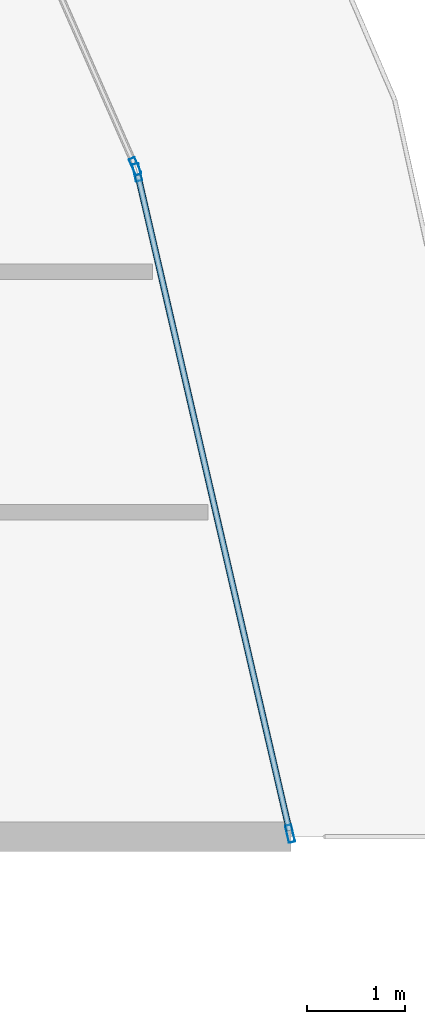
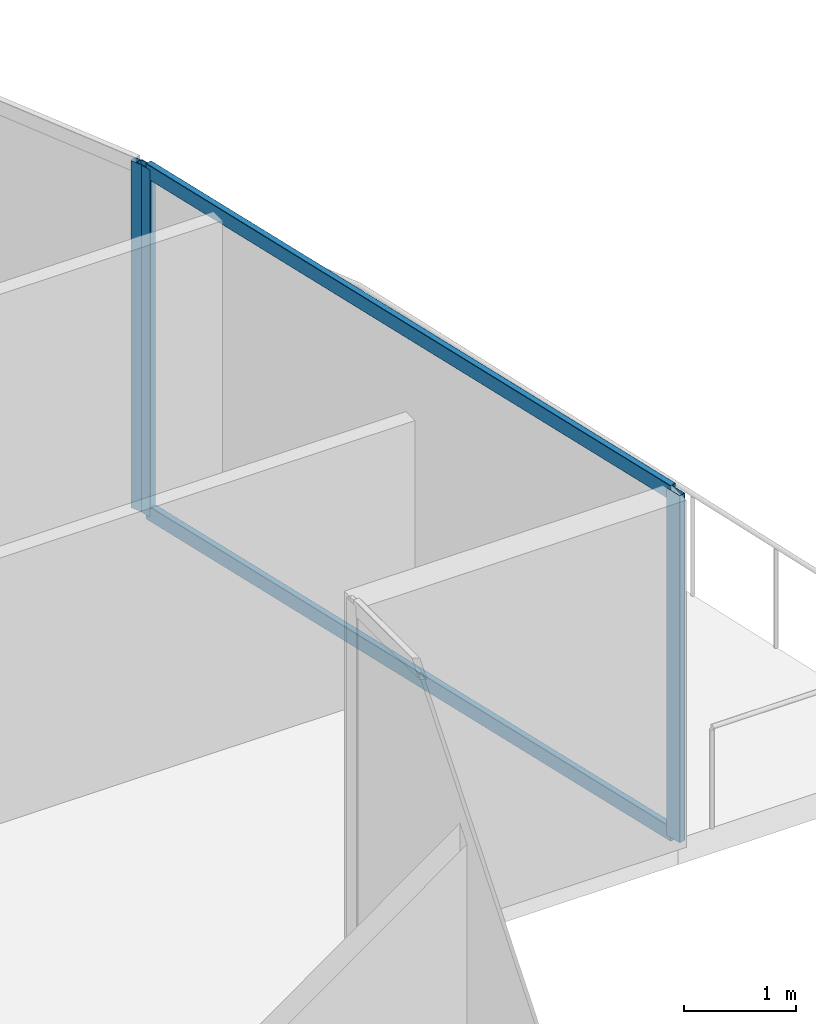
# One storey, part 28 of 45: 5 members, 2 elements without a shape of their own.
"""IFC4 building model written with IfcOpenShell, lengths in metres."""

import ifcopenshell
import ifcopenshell.guid

model = None  # the IFC model being written
_history = None  # IfcOwnerHistory: only IFC2X3 demands one
_inside = {}  # id of a spatial element -> (the spatial element, [elements in it])
_under = {}  # id of a project, library or spatial element -> (it, [spatial elements below it])
_declared = {}  # id of a project -> (the project, [libraries it declares])
_typed = {}  # id of a type object -> (the type object, [elements of that type])
_made_of = {}  # id of a material, layer set ... -> (it, [elements and type objects made of it])


def new_model(schema):
    """Start an empty IFC model of exactly this schema.

    Asked for "IFC4X3", IfcOpenShell would pick the latest addendum, in which some entities
    have other attributes; the version numbers below select the first issue.
    IFC2X3 requires an IfcOwnerHistory on every rooted entity: one is made here for all.
    """
    global model, _history
    if schema == "IFC4X3":
        model = ifcopenshell.file(schema_version=(4, 3, 0, 0))
    else:
        model = ifcopenshell.file(schema=schema)
    _inside.clear()
    _under.clear()
    _declared.clear()
    _typed.clear()
    _made_of.clear()
    _history = None
    if model.schema == "IFC2X3":
        org = make("IfcOrganization", Name="unknown")
        user = make(
            "IfcPersonAndOrganization",
            ThePerson=make("IfcPerson", FamilyName="unknown"),
            TheOrganization=org,
        )
        app = make(
            "IfcApplication",
            ApplicationDeveloper=org,
            Version="unknown",
            ApplicationFullName="unknown",
            ApplicationIdentifier="unknown",
        )
        _history = make(
            "IfcOwnerHistory",
            OwningUser=user,
            OwningApplication=app,
            ChangeAction="ADDED",
            CreationDate=0,
        )
    return model


def make(cls, **values):
    """One entity of the class cls with the attributes given. An attribute that is None is left unset."""
    return model.create_entity(
        cls, **{name: value for name, value in values.items() if value is not None}
    )


def rooted(cls, **values):
    """An entity with a GlobalId (a new one), such as an element, a storey or a relation."""
    return make(cls, GlobalId=ifcopenshell.guid.new(), OwnerHistory=_history, **values)


def si_unit(unit_type, name, prefix=None):
    """IfcSIUnit, for example si_unit("LENGTHUNIT", "METRE", prefix="MILLI")."""
    return make("IfcSIUnit", UnitType=unit_type, Prefix=prefix, Name=name)


def assignment(units):
    """IfcUnitAssignment: the units of a project."""
    return None if units is None else make("IfcUnitAssignment", Units=units)


def point(xyz):
    """IfcCartesianPoint."""
    return None if xyz is None else make("IfcCartesianPoint", Coordinates=xyz)


def direction(xyz):
    """IfcDirection."""
    return None if xyz is None else make("IfcDirection", DirectionRatios=xyz)


def frame(location, z_axis=None, x_axis=None):
    """IfcAxis2Placement3D, a coordinate frame: its origin and axes. An axis left out is left unset."""
    return make(
        "IfcAxis2Placement3D",
        Location=point(location),
        Axis=direction(z_axis),
        RefDirection=direction(x_axis),
    )


def frame_2d(location, x_axis=None):
    """IfcAxis2Placement2D, a coordinate frame in the plane: its origin and x axis."""
    return make(
        "IfcAxis2Placement2D", Location=point(location), RefDirection=direction(x_axis)
    )


def origin():
    """The frame at (0, 0, 0) with its axes left unset."""
    return frame((0.0, 0.0, 0.0))


def origin_2d():
    """The frame at (0, 0) in the plane with its x axis left unset."""
    return frame_2d((0.0, 0.0))


def place(relative_to, where):
    """IfcLocalPlacement: puts the frame where relative to a parent placement (None: the world)."""
    return make(
        "IfcLocalPlacement", PlacementRelTo=relative_to, RelativePlacement=where
    )


def context(
    kind, dimensions, precision=None, world=None, true_north=None, identifier=None
):
    """IfcGeometricRepresentationContext, for example the 3D "Model" context."""
    return make(
        "IfcGeometricRepresentationContext",
        ContextIdentifier=identifier,
        ContextType=kind,
        CoordinateSpaceDimension=dimensions,
        Precision=precision,
        WorldCoordinateSystem=world,
        TrueNorth=true_north,
    )


def subcontext(parent, identifier, kind, view, scale=None):
    """IfcGeometricRepresentationSubContext, for example "Body" below "Model"."""
    return make(
        "IfcGeometricRepresentationSubContext",
        ContextIdentifier=identifier,
        ContextType=kind,
        ParentContext=parent,
        TargetScale=scale,
        TargetView=view,
    )


def project(units=None, contexts=None):
    """IfcProject with its units and contexts."""
    return rooted(
        "IfcProject",
        Name="project",
        RepresentationContexts=contexts,
        UnitsInContext=assignment(units),
    )


def spatial(cls, under=None, at=None, **own):
    """A site, building, storey or space (cls), placed at a placement, below another one or the project."""
    s = rooted(cls, ObjectPlacement=at, **own)
    if under is not None:
        _under.setdefault(under.id(), (under, []))[1].append(s)
    return s


def profile(cls, at=None, kind="AREA", **sizes):
    """A parametric profile (cls). Its sizes go by their IFC names, for example OverallWidth=200.0."""
    return make(cls, ProfileType=kind, Position=at, **sizes)


def hollow_rectangle(**sizes):
    """IfcRectangleHollowProfileDef."""
    return profile("IfcRectangleHollowProfileDef", **sizes)


def extrude(swept, where, along, depth):
    """IfcExtrudedAreaSolid: the profile swept, set in the frame where, extruded along a direction by depth."""
    return make(
        "IfcExtrudedAreaSolid",
        SweptArea=swept,
        Position=where,
        ExtrudedDirection=direction(along),
        Depth=depth,
    )


def shape(context_of_items, identifier, shape_type, items):
    """IfcShapeRepresentation: the items that make up one representation, for example the "Body"."""
    return make(
        "IfcShapeRepresentation",
        ContextOfItems=context_of_items,
        RepresentationIdentifier=identifier,
        RepresentationType=shape_type,
        Items=items,
    )


def material(Name=None, Category=None):
    """IfcMaterial."""
    return make("IfcMaterial", Name=Name, Category=Category)


def layer(
    of_material, thickness, ventilated=None, Name=None, Category=None, Priority=None
):
    """IfcMaterialLayer: one layer of a wall or slab, of a material (None: an air gap)."""
    return make(
        "IfcMaterialLayer",
        Material=of_material,
        LayerThickness=thickness,
        IsVentilated=ventilated,
        Name=Name,
        Category=Category,
        Priority=Priority,
    )


def layer_set(layers, Name=None):
    """IfcMaterialLayerSet."""
    return make("IfcMaterialLayerSet", MaterialLayers=layers, LayerSetName=Name)


def material_profile(
    of_material, cross_section, Name=None, Category=None, Priority=None
):
    """IfcMaterialProfile: a cross section and its material."""
    return make(
        "IfcMaterialProfile",
        Name=Name,
        Material=of_material,
        Profile=cross_section,
        Priority=Priority,
        Category=Category,
    )


def profile_set(profiles, Name=None, composite=None):
    """IfcMaterialProfileSet."""
    return make(
        "IfcMaterialProfileSet",
        Name=Name,
        MaterialProfiles=profiles,
        CompositeProfile=composite,
    )


def made_of(thing, what):
    """Note that an element or type object is made of a material, layer set ...; save() writes the relation."""
    if what is not None:
        _made_of.setdefault(what.id(), (what, []))[1].append(thing)
    return thing


def type_object(cls, material=None, **own):
    """A type object (cls), such as IfcWallType, which elements share."""
    return made_of(rooted(cls, **own), material)


def element(
    cls,
    number,
    at=None,
    inside=None,
    cuts=None,
    type_object=None,
    material=None,
    context=None,
    identifier="Body",
    shape_type=None,
    held_by="IfcProductDefinitionShape",
    body=None,
    shapes=None,
    **own,
):
    """One element of the class cls, such as IfcWall. Its Tag is "e" and its number.

    at: its placement. inside: the storey or other place that contains it. cuts: it is an
    opening in that element (IfcRelVoidsElement). A single representation is given by context,
    identifier, shape_type and body (its items); several are given by shapes. held_by: the class
    of the entity that holds the representations. save() writes the other relations.
    """
    e = rooted(cls, Tag="e%d" % number, ObjectPlacement=at, **own)
    if body is not None:
        shapes = [shape(context, identifier, shape_type, body)]
    if shapes is not None:
        e.Representation = make(held_by, Representations=shapes)
    if inside is not None:
        _inside.setdefault(inside.id(), (inside, []))[1].append(e)
    if cuts is not None:
        rooted(
            "IfcRelVoidsElement", RelatingBuildingElement=cuts, RelatedOpeningElement=e
        )
    if type_object is not None:
        _typed.setdefault(type_object.id(), (type_object, []))[1].append(e)
    return made_of(e, material)


def aggregate(whole, parts):
    """IfcRelAggregates: a whole, such as a stair, and the parts it consists of."""
    return rooted("IfcRelAggregates", RelatingObject=whole, RelatedObjects=parts)


def save(model, path):
    """Write the relations noted so far, then the file.

    IfcRelAggregates (storeys below a building ...), IfcRelContainedInSpatialStructure (elements
    in a storey), IfcRelDefinesByType, IfcRelAssociatesMaterial and IfcRelDeclares: one each for
    every whole, place, type object, material and project.
    """
    for whole, parts in _under.values():
        aggregate(whole, parts)
    for where, things in _inside.values():
        rooted(
            "IfcRelContainedInSpatialStructure",
            RelatedElements=things,
            RelatingStructure=where,
        )
    for kind, things in _typed.values():
        rooted("IfcRelDefinesByType", RelatedObjects=things, RelatingType=kind)
    for what, things in _made_of.values():
        rooted("IfcRelAssociatesMaterial", RelatedObjects=things, RelatingMaterial=what)
    for by, libraries in _declared.values():
        rooted("IfcRelDeclares", RelatingContext=by, RelatedDefinitions=libraries)
    model.write(path)


model = new_model("IFC4")

# Units and contexts
model_context = context("Model", 3, precision=1e-05, world=origin(), true_north=direction((0.0, 1.0)))
body_context = subcontext(model_context, "Body", "Model", "MODEL_VIEW")
ifc_project = project(units=[si_unit("LENGTHUNIT", "METRE"), si_unit("AREAUNIT", "SQUARE_METRE"), si_unit("VOLUMEUNIT", "CUBIC_METRE"), si_unit("PLANEANGLEUNIT", "RADIAN"), si_unit("MASSUNIT", "GRAM", prefix="KILO")], contexts=[model_context])

# Site, building, storey
site_placement = place(None, origin())
site = spatial("IfcSite", under=ifc_project, at=site_placement, CompositionType="ELEMENT")
building_placement = place(site_placement, origin())
building = spatial("IfcBuilding", under=site, at=building_placement, Name="Qorvath Tower", CompositionType="ELEMENT")
storey_placement = place(building_placement, frame((0.0, 0.0, 109.800048828125)))
storey = spatial("IfcBuildingStorey", under=building, at=storey_placement, Name="L24", CompositionType="ELEMENT", Elevation=109.800048828125)

# Curtain wall, members
ifc_material_1 = material(Name="Anodised aluminium and triple low-E glass", Category="aluminium")
ifc_layer = layer(ifc_material_1, 0.179931640625)
ifc_layer_set = layer_set([ifc_layer], Name="CW-SYS-2")
curtain_wall_type = type_object("IfcCurtainWallType", Name="CW-SYS-2", PredefinedType="NOTDEFINED", material=ifc_layer_set)
curtain_wall_1_placement = place(storey_placement, origin())
curtain_wall_1 = element("IfcCurtainWall", 1, at=curtain_wall_1_placement, inside=storey, type_object=curtain_wall_type, Name="Curtain Wall CW-2 CW-T-L24-11.1", PredefinedType="NOTDEFINED")
ifc_material_2 = material(Name="Anodised aluminium 6063-T6", Category="aluminium")
ifc_material_profile_1 = material_profile(ifc_material_2, hollow_rectangle(XDim=0.06494140625, YDim=0.179931640625, WallThickness=0.00341796875, InnerFilletRadius=0.00341796875, OuterFilletRadius=0.007080078125, at=origin_2d()), Name="CWM 180x65")
ifc_profile_set_1 = profile_set([ifc_material_profile_1], Name="Anodised aluminium 6063-T6")
member_type_1 = type_object("IfcMemberType", Name="CWM-180", PredefinedType="MULLION", material=ifc_profile_set_1)
member_1_placement = place(storey_placement, frame((4.982177734375, 5.04296875, 0.0), z_axis=(0.0, 0.0, 1.0), x_axis=(-0.974312521641, -0.225200155801, 0.0)))
member_1 = element("IfcMember", 2, at=member_1_placement, type_object=member_type_1, Name="CW-2 mullion 1", PredefinedType="MULLION", context=body_context, shape_type="SweptSolid", body=[
    extrude(hollow_rectangle(XDim=0.06494140625, YDim=0.179931640625, WallThickness=0.00341796875, InnerFilletRadius=0.00341796875, OuterFilletRadius=0.007080078125, at=origin_2d()), origin(), (0.0, 0.0, 1.0), 3.77001953125),
])
member_2_placement = place(storey_placement, frame((3.427734375, 11.76806640625, 0.0), z_axis=(0.0, 0.0, 1.0), x_axis=(-0.974312521641, -0.225200155801, 0.0)))
member_2 = element("IfcMember", 3, at=member_2_placement, type_object=member_type_1, Name="CW-2 mullion 2", PredefinedType="MULLION", context=body_context, shape_type="SweptSolid", body=[
    extrude(hollow_rectangle(XDim=0.06494140625, YDim=0.179931640625, WallThickness=0.00341796875, InnerFilletRadius=0.00341796875, OuterFilletRadius=0.007080078125, at=origin_2d()), origin(), (0.0, 0.0, 1.0), 3.77001953125),
])

# Curtain wall, member
curtain_wall_2_placement = place(storey_placement, origin())
curtain_wall_2 = element("IfcCurtainWall", 4, at=curtain_wall_2_placement, inside=storey, type_object=curtain_wall_type, Name="Curtain Wall CW-2 CW-T-L24-12.1", PredefinedType="NOTDEFINED")
member_3_placement = place(storey_placement, frame((3.4072265625, 11.82958984375, 0.0), z_axis=(0.0, 0.0, 1.0), x_axis=(-0.915821362935, -0.401585895161, 0.0)))
member_3 = element("IfcMember", 5, at=member_3_placement, type_object=member_type_1, Name="CW-2 mullion 1", PredefinedType="MULLION", context=body_context, shape_type="SweptSolid", body=[
    extrude(hollow_rectangle(XDim=0.06494140625, YDim=0.179931640625, WallThickness=0.00341796875, InnerFilletRadius=0.00341796875, OuterFilletRadius=0.007080078125, at=origin_2d()), origin(), (0.0, 0.0, 1.0), 3.77001953125),
])
aggregate(curtain_wall_2, [member_3])

# Member
ifc_material_3 = material(Name="Anodised aluminium 6063-T6", Category="aluminium")
ifc_material_profile_2 = material_profile(ifc_material_3, hollow_rectangle(XDim=0.06494140625, YDim=0.159912109375, WallThickness=0.00341796875, InnerFilletRadius=0.00341796875, OuterFilletRadius=0.007080078125, at=origin_2d()), Name="CWT 160x65")
ifc_profile_set_2 = profile_set([ifc_material_profile_2], Name="Anodised aluminium 6063-T6")
member_type_2 = type_object("IfcMemberType", Name="CWT-160", PredefinedType="USERDEFINED", material=ifc_profile_set_2)
member_4_placement = place(storey_placement, frame((4.974853515625, 5.074462890625, 0.032470703125), z_axis=(-0.225190666486, 0.974314714929, 0.0), x_axis=(-0.974314714929, -0.225190666486, 0.0)))
member_4 = element("IfcMember", 6, at=member_4_placement, type_object=member_type_2, Name="CW-2 transom 1.1", ObjectType="TRANSOM", PredefinedType="USERDEFINED", context=body_context, shape_type="SweptSolid", body=[
    extrude(hollow_rectangle(XDim=0.06494140625, YDim=0.159912109375, WallThickness=0.00341796875, InnerFilletRadius=0.00341796875, OuterFilletRadius=0.007080078125, at=origin_2d()), origin(), (0.0, 0.0, 1.0), 6.837646484375),
])

member_5_placement = place(storey_placement, frame((4.974853515625, 5.074462890625, 3.737548828125), z_axis=(-0.225190666486, 0.974314714929, 0.0), x_axis=(-0.974314714929, -0.225190666486, 0.0)))
member_5 = element("IfcMember", 7, at=member_5_placement, type_object=member_type_2, Name="CW-2 transom 1.2", ObjectType="TRANSOM", PredefinedType="USERDEFINED", context=body_context, shape_type="SweptSolid", body=[
    extrude(hollow_rectangle(XDim=0.06494140625, YDim=0.159912109375, WallThickness=0.00341796875, InnerFilletRadius=0.00341796875, OuterFilletRadius=0.007080078125, at=origin_2d()), origin(), (0.0, 0.0, 1.0), 6.837646484375),
])

aggregate(curtain_wall_1, [member_1, member_2, member_4, member_5])

save(model, "model.ifc")
